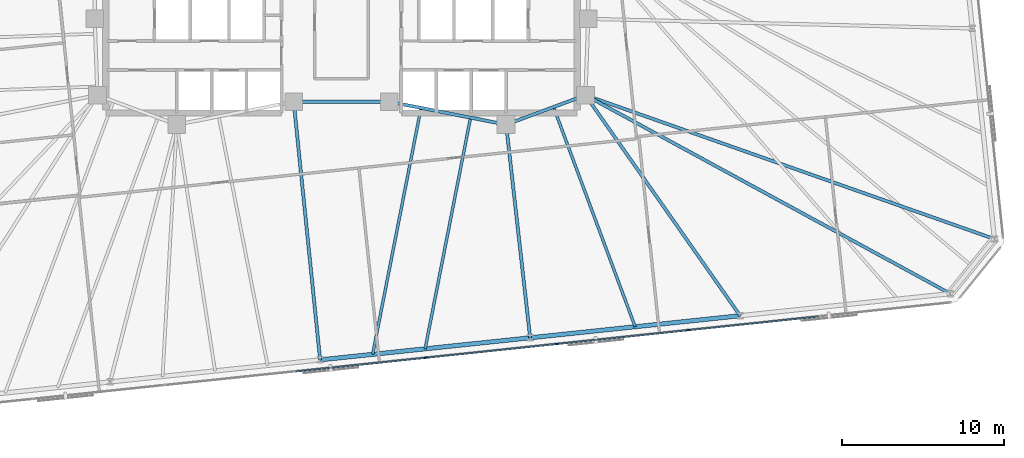
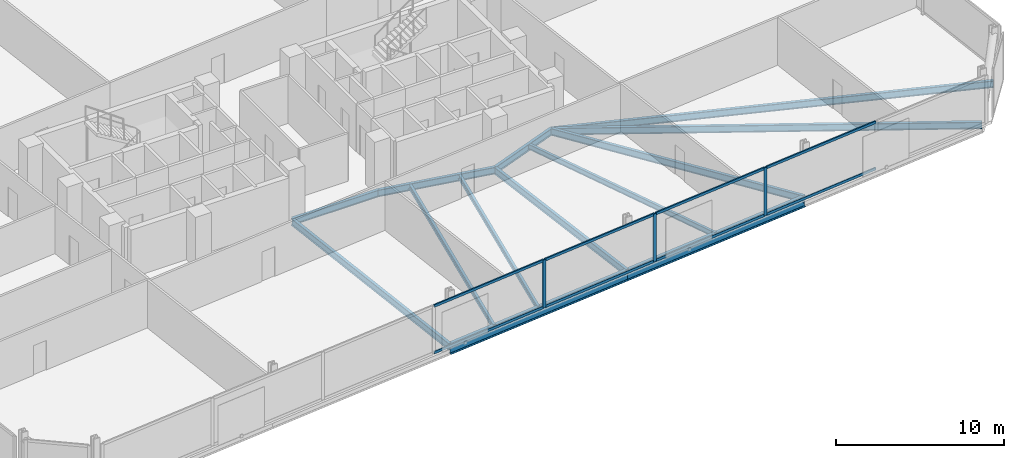
# One storey, part 7 of 18: 13 beams, 11 members, 1 element without a shape of its own.
"""IFC4 building model written with IfcOpenShell, lengths in metres."""

from ifc_helpers import new_model, si_unit, direction, frame, origin, origin_2d, place, context, subcontext, project, spatial, rectangle, i_section, extrude, material, material_profile, profile_set, type_object, element, aggregate, save


model = new_model("IFC4")

# Units and contexts
model_context = context("Model", 3, precision=1e-05, world=origin(), true_north=direction((0.0, 1.0)))
body_context = subcontext(model_context, "Body", "Model", "MODEL_VIEW")
ifc_project = project(units=[si_unit("LENGTHUNIT", "METRE"), si_unit("AREAUNIT", "SQUARE_METRE"), si_unit("VOLUMEUNIT", "CUBIC_METRE"), si_unit("PLANEANGLEUNIT", "RADIAN"), si_unit("MASSUNIT", "GRAM", prefix="KILO")], contexts=[model_context])

# Site, building, storey
site_placement = place(None, origin())
site = spatial("IfcSite", under=ifc_project, at=site_placement, CompositionType="ELEMENT")
building_placement = place(site_placement, origin())
building = spatial("IfcBuilding", under=site, at=building_placement, Name="Menara Jurai Vektor", CompositionType="ELEMENT")
storey_placement = place(building_placement, frame((0.0, 0.0, 117.0)))
storey = spatial("IfcBuildingStorey", under=building, at=storey_placement, Name="L29", CompositionType="ELEMENT", Elevation=117.0)

# Curtain wall, members
ifc_material_1 = material(Name="Anodised Pale Aluminium & Low-E Double Glazing", Category="aluminium")
curtain_wall_type = type_object("IfcCurtainWallType", Name="CW-BLK2", PredefinedType="NOTDEFINED", material=ifc_material_1)
curtain_wall_placement = place(storey_placement, origin())
curtain_wall = element("IfcCurtainWall", 1, at=curtain_wall_placement, inside=storey, type_object=curtain_wall_type, Name="Unitised Curtain Wall L29 F01", PredefinedType="NOTDEFINED")
ifc_material_2 = material(Name="Anodised Pale Aluminium Mullion", Category="aluminium")
ifc_material_profile_1 = material_profile(ifc_material_2, rectangle(XDim=0.090087890625, YDim=0.219970703125, at=origin_2d()), Name="ALU MUL 90x220")
ifc_profile_set_1 = profile_set([ifc_material_profile_1], Name="Anodised Pale Aluminium Mullion")
member_type_1 = type_object("IfcMemberType", Name="CW-BLK2-MUL", PredefinedType="MULLION", material=ifc_profile_set_1)
member_1_placement = place(storey_placement, frame((5.230224609375, -20.72265625, 0.0), z_axis=(0.0, 0.0, 1.0), x_axis=(-0.104528634935, 0.994521877325, 0.0)))
member_1 = element("IfcMember", 2, at=member_1_placement, type_object=member_type_1, Name="CW-02 mullion 5", PredefinedType="MULLION", context=body_context, shape_type="SweptSolid", body=[
    extrude(rectangle(XDim=0.090087890625, YDim=0.219970703125, at=origin_2d()), origin(), (0.0, 0.0, 1.0), 3.47509765625),
])
member_2_placement = place(storey_placement, frame((13.328125, -19.87158203125, 0.0), z_axis=(0.0, 0.0, 1.0), x_axis=(-0.104528634935, 0.994521877325, 0.0)))
member_2 = element("IfcMember", 3, at=member_2_placement, type_object=member_type_1, Name="CW-02 mullion 6", PredefinedType="MULLION", context=body_context, shape_type="SweptSolid", body=[
    extrude(rectangle(XDim=0.090087890625, YDim=0.219970703125, at=origin_2d()), origin(), (0.0, 0.0, 1.0), 3.47509765625),
])
member_3_placement = place(storey_placement, frame((21.426025390625, -19.020263671875, 0.0), z_axis=(0.0, 0.0, 1.0), x_axis=(-0.104528634935, 0.994521877325, 0.0)))
member_3 = element("IfcMember", 4, at=member_3_placement, type_object=member_type_1, Name="CW-02 mullion 7", PredefinedType="MULLION", context=body_context, shape_type="SweptSolid", body=[
    extrude(rectangle(XDim=0.090087890625, YDim=0.219970703125, at=origin_2d()), origin(), (0.0, 0.0, 1.0), 3.47509765625),
])
ifc_material_3 = material(Name="Anodised Pale Aluminium Transom", Category="aluminium")
ifc_material_profile_2 = material_profile(ifc_material_3, rectangle(XDim=0.090087890625, YDim=0.18505859375, at=origin_2d()), Name="ALU TRN 90x185")
ifc_profile_set_2 = profile_set([ifc_material_profile_2], Name="Anodised Pale Aluminium Transom")
member_type_2 = type_object("IfcMemberType", Name="CW-BLK2-TRN", PredefinedType="USERDEFINED", material=ifc_profile_set_2)
member_4_placement = place(storey_placement, frame((-2.82275390625, -21.569091796875, 0.044921875), z_axis=(0.994520726373, 0.10453958492, 0.0), x_axis=(-0.10453958492, 0.994520726373, 0.0)))
member_4 = element("IfcMember", 5, at=member_4_placement, type_object=member_type_2, Name="CW-02 transom 4.1", ObjectType="TRANSOM", PredefinedType="USERDEFINED", context=body_context, shape_type="SweptSolid", body=[
    extrude(rectangle(XDim=0.090087890625, YDim=0.18505859375, at=origin_2d()), origin(), (0.0, 0.0, 1.0), 8.052490234375),
])
member_5_placement = place(storey_placement, frame((-2.82275390625, -21.569091796875, 3.429931640625), z_axis=(0.994520726373, 0.10453958492, 0.0), x_axis=(-0.10453958492, 0.994520726373, 0.0)))
member_5 = element("IfcMember", 6, at=member_5_placement, type_object=member_type_2, Name="CW-02 transom 4.2", ObjectType="TRANSOM", PredefinedType="USERDEFINED", context=body_context, shape_type="SweptSolid", body=[
    extrude(rectangle(XDim=0.090087890625, YDim=0.18505859375, at=origin_2d()), origin(), (0.0, 0.0, 1.0), 8.052490234375),
])
member_6_placement = place(storey_placement, frame((5.275146484375, -20.718017578125, 0.044921875), z_axis=(0.994520726373, 0.10453958492, 0.0), x_axis=(-0.10453958492, 0.994520726373, 0.0)))
member_6 = element("IfcMember", 7, at=member_6_placement, type_object=member_type_2, Name="CW-02 transom 5.1", ObjectType="TRANSOM", PredefinedType="USERDEFINED", context=body_context, shape_type="SweptSolid", body=[
    extrude(rectangle(XDim=0.090087890625, YDim=0.18505859375, at=origin_2d()), origin(), (0.0, 0.0, 1.0), 8.052490234375),
])
member_7_placement = place(storey_placement, frame((5.275146484375, -20.718017578125, 3.429931640625), z_axis=(0.994520726373, 0.10453958492, 0.0), x_axis=(-0.10453958492, 0.994520726373, 0.0)))
member_7 = element("IfcMember", 8, at=member_7_placement, type_object=member_type_2, Name="CW-02 transom 5.2", ObjectType="TRANSOM", PredefinedType="USERDEFINED", context=body_context, shape_type="SweptSolid", body=[
    extrude(rectangle(XDim=0.090087890625, YDim=0.18505859375, at=origin_2d()), origin(), (0.0, 0.0, 1.0), 8.052490234375),
])
member_8_placement = place(storey_placement, frame((13.373046875, -19.86669921875, 0.044921875), z_axis=(0.99452387809, 0.104509597213, 0.0), x_axis=(-0.104509597213, 0.99452387809, 0.0)))
member_8 = element("IfcMember", 9, at=member_8_placement, type_object=member_type_2, Name="CW-02 transom 6.1", ObjectType="TRANSOM", PredefinedType="USERDEFINED", context=body_context, shape_type="SweptSolid", body=[
    extrude(rectangle(XDim=0.090087890625, YDim=0.18505859375, at=origin_2d()), origin(), (0.0, 0.0, 1.0), 8.052490234375),
])
member_9_placement = place(storey_placement, frame((13.373046875, -19.86669921875, 3.429931640625), z_axis=(0.99452387809, 0.104509597213, 0.0), x_axis=(-0.104509597213, 0.99452387809, 0.0)))
member_9 = element("IfcMember", 10, at=member_9_placement, type_object=member_type_2, Name="CW-02 transom 6.2", ObjectType="TRANSOM", PredefinedType="USERDEFINED", context=body_context, shape_type="SweptSolid", body=[
    extrude(rectangle(XDim=0.090087890625, YDim=0.18505859375, at=origin_2d()), origin(), (0.0, 0.0, 1.0), 8.052490234375),
])
member_10_placement = place(storey_placement, frame((21.470947265625, -19.015625, 0.044921875), z_axis=(0.994520726373, 0.10453958492, 0.0), x_axis=(-0.10453958492, 0.994520726373, 0.0)))
member_10 = element("IfcMember", 11, at=member_10_placement, type_object=member_type_2, Name="CW-02 transom 7.1", ObjectType="TRANSOM", PredefinedType="USERDEFINED", context=body_context, shape_type="SweptSolid", body=[
    extrude(rectangle(XDim=0.090087890625, YDim=0.18505859375, at=origin_2d()), origin(), (0.0, 0.0, 1.0), 8.052490234375),
])
member_11_placement = place(storey_placement, frame((21.470947265625, -19.015625, 3.429931640625), z_axis=(0.994520726373, 0.10453958492, 0.0), x_axis=(-0.10453958492, 0.994520726373, 0.0)))
member_11 = element("IfcMember", 12, at=member_11_placement, type_object=member_type_2, Name="CW-02 transom 7.2", ObjectType="TRANSOM", PredefinedType="USERDEFINED", context=body_context, shape_type="SweptSolid", body=[
    extrude(rectangle(XDim=0.090087890625, YDim=0.18505859375, at=origin_2d()), origin(), (0.0, 0.0, 1.0), 8.052490234375),
])
aggregate(curtain_wall, [member_1, member_2, member_3, member_4, member_5, member_6, member_7, member_8, member_9, member_10, member_11])

# Beams
ifc_material_4 = material(Name="Steel S355", Category="steel")
ifc_material_profile_3 = material_profile(ifc_material_4, i_section(OverallWidth=0.199951171875, OverallDepth=0.5, WebThickness=0.011962890625, FlangeThickness=0.02001953125, at=origin_2d()), Name="PG 500x200x96")
ifc_profile_set_3 = profile_set([ifc_material_profile_3], Name="Steel S355")
beam_type_1 = type_object("IfcBeamType", Name="STR-BM-500", PredefinedType="BEAM", material=ifc_profile_set_3)
beam_1_placement = place(storey_placement, frame((10.179931640625, -6.320068359375, -0.47509765625), z_axis=(0.937424400887, 0.348188874925, 0.0), x_axis=(-0.348188874925, 0.937424400887, 0.0)))
element("IfcBeam", 13, at=beam_1_placement, inside=storey, type_object=beam_type_1, Name="Core Ring Header Girder L29-CHE-S1", PredefinedType="BEAM", context=body_context, shape_type="SweptSolid", body=[
    extrude(i_section(OverallWidth=0.199951171875, OverallDepth=0.5, WebThickness=0.011962890625, FlangeThickness=0.02001953125, at=origin_2d()), origin(), (0.0, 0.0, 1.0), 5.227294921875),
])
beam_2_placement = place(storey_placement, frame((2.949951171875, -4.89990234375, -0.47509765625), z_axis=(0.981249044334, -0.192744164614, 0.0), x_axis=(0.192744164614, 0.981249044334, 0.0)))
element("IfcBeam", 14, at=beam_2_placement, inside=storey, type_object=beam_type_1, Name="Core Ring Header Girder L29-CHE-S2", PredefinedType="BEAM", context=body_context, shape_type="SweptSolid", body=[
    extrude(i_section(OverallWidth=0.199951171875, OverallDepth=0.5, WebThickness=0.011962890625, FlangeThickness=0.02001953125, at=origin_2d()), origin(), (0.0, 0.0, 1.0), 7.3681640625),
])
beam_3_placement = place(storey_placement, frame((-2.949951171875, -4.89990234375, -0.47509765625), z_axis=(1.0, 0.0, 0.0), x_axis=(0.0, 1.0, 0.0)))
element("IfcBeam", 15, at=beam_3_placement, inside=storey, type_object=beam_type_1, Name="Core Ring Header Girder L29-CC-1", PredefinedType="BEAM", context=body_context, shape_type="SweptSolid", body=[
    extrude(i_section(OverallWidth=0.199951171875, OverallDepth=0.5, WebThickness=0.011962890625, FlangeThickness=0.02001953125, at=origin_2d()), origin(), (0.0, 0.0, 1.0), 5.89990234375),
])
beam_4_placement = place(storey_placement, frame((-1.31689453125, -20.85791015625, -0.47509765625), z_axis=(-0.101802947506, 0.994804583765, 0.0), x_axis=(-0.994804583765, -0.101802947506, 0.0)))
element("IfcBeam", 16, at=beam_4_placement, inside=storey, type_object=beam_type_1, Name="Radial Floor Girder L29-S3", PredefinedType="BEAM", context=body_context, shape_type="SweptSolid", body=[
    extrude(i_section(OverallWidth=0.199951171875, OverallDepth=0.5, WebThickness=0.011962890625, FlangeThickness=0.02001953125, at=origin_2d()), origin(), (0.0, 0.0, 1.0), 16.041259765625),
])
beam_5_placement = place(storey_placement, frame((11.66259765625, -19.493408203125, -0.47509765625), z_axis=(-0.111844331087, 0.99372573963, 0.0), x_axis=(-0.99372573963, -0.111844331087, 0.0)))
element("IfcBeam", 17, at=beam_5_placement, inside=storey, type_object=beam_type_1, Name="Radial Floor Girder L29-S4", PredefinedType="BEAM", context=body_context, shape_type="SweptSolid", body=[
    extrude(i_section(OverallWidth=0.199951171875, OverallDepth=0.5, WebThickness=0.011962890625, FlangeThickness=0.02001953125, at=origin_2d()), origin(), (0.0, 0.0, 1.0), 13.256591796875),
])
beam_6_placement = place(storey_placement, frame((24.64208984375, -18.12939453125, -0.47509765625), z_axis=(-0.574326112611, 0.818626603754, 0.0), x_axis=(-0.818626603754, -0.574326112611, 0.0)))
element("IfcBeam", 18, at=beam_6_placement, inside=storey, type_object=beam_type_1, Name="Radial Floor Girder L29-S5", PredefinedType="BEAM", context=body_context, shape_type="SweptSolid", body=[
    extrude(i_section(OverallWidth=0.199951171875, OverallDepth=0.5, WebThickness=0.011962890625, FlangeThickness=0.02001953125, at=origin_2d()), origin(), (0.0, 0.0, 1.0), 16.649169921875),
])
beam_7_placement = place(storey_placement, frame((37.621826171875, -16.76513671875, -0.47509765625), z_axis=(-0.878392468416, 0.477940029115, 0.0), x_axis=(-0.477940029115, -0.878392468416, 0.0)))
element("IfcBeam", 19, at=beam_7_placement, inside=storey, type_object=beam_type_1, Name="Radial Floor Girder L29-S6", PredefinedType="BEAM", context=body_context, shape_type="SweptSolid", body=[
    extrude(i_section(OverallWidth=0.199951171875, OverallDepth=0.5, WebThickness=0.011962890625, FlangeThickness=0.02001953125, at=origin_2d()), origin(), (0.0, 0.0, 1.0), 25.66259765625),
])
beam_8_placement = place(storey_placement, frame((40.356201171875, -13.388671875, -0.47509765625), z_axis=(-0.943368219745, 0.331747497315, 0.0), x_axis=(-0.331747497315, -0.943368219745, 0.0)))
element("IfcBeam", 20, at=beam_8_placement, inside=storey, type_object=beam_type_1, Name="Radial Floor Girder L29-E1", PredefinedType="BEAM", context=body_context, shape_type="SweptSolid", body=[
    extrude(i_section(OverallWidth=0.199951171875, OverallDepth=0.5, WebThickness=0.011962890625, FlangeThickness=0.02001953125, at=origin_2d()), origin(), (0.0, 0.0, 1.0), 26.79345703125),
])
ifc_material_profile_4 = material_profile(ifc_material_4, i_section(OverallWidth=0.175048828125, OverallDepth=0.3798828125, WebThickness=0.010009765625, FlangeThickness=0.014892578125, at=origin_2d()), Name="PG 380x175x58")
ifc_profile_set_4 = profile_set([ifc_material_profile_4], Name="Steel S355")
beam_type_2 = type_object("IfcBeamType", Name="STR-JS-380", PredefinedType="JOIST", material=ifc_profile_set_4)
beam_9_placement = place(storey_placement, frame((1.927978515625, -20.5166015625, -0.4150390625), z_axis=(0.192720963177, 0.981253601447, 0.0), x_axis=(-0.981253601447, 0.192720963177, 0.0)))
element("IfcBeam", 21, at=beam_9_placement, inside=storey, type_object=beam_type_2, Name="Radial Secondary Floor Joist L29-JS06", PredefinedType="JOIST", context=body_context, shape_type="SweptSolid", body=[
    extrude(i_section(OverallWidth=0.175048828125, OverallDepth=0.3798828125, WebThickness=0.010009765625, FlangeThickness=0.014892578125, at=origin_2d()), origin(), (0.0, 0.0, 1.0), 15.52099609375),
])
beam_10_placement = place(storey_placement, frame((5.1728515625, -20.175537109375, -0.4150390625), z_axis=(0.192719646422, 0.98125386006, 0.0), x_axis=(-0.98125386006, 0.192719646422, 0.0)))
element("IfcBeam", 22, at=beam_10_placement, inside=storey, type_object=beam_type_2, Name="Radial Secondary Floor Joist L29-JS07", PredefinedType="JOIST", context=body_context, shape_type="SweptSolid", body=[
    extrude(i_section(OverallWidth=0.175048828125, OverallDepth=0.3798828125, WebThickness=0.010009765625, FlangeThickness=0.014892578125, at=origin_2d()), origin(), (0.0, 0.0, 1.0), 14.560791015625),
])
beam_11_placement = place(storey_placement, frame((18.15234375, -18.811279296875, -0.4150390625), z_axis=(-0.348188645432, 0.937424486128, 0.0), x_axis=(-0.937424486128, -0.348188645432, 0.0)))
element("IfcBeam", 23, at=beam_11_placement, inside=storey, type_object=beam_type_2, Name="Radial Secondary Floor Joist L29-JS08", PredefinedType="JOIST", context=body_context, shape_type="SweptSolid", body=[
    extrude(i_section(OverallWidth=0.175048828125, OverallDepth=0.3798828125, WebThickness=0.010009765625, FlangeThickness=0.014892578125, at=origin_2d()), origin(), (0.0, 0.0, 1.0), 14.485595703125),
])
ifc_material_5 = material(Name="Steel S460", Category="steel")
ifc_material_profile_5 = material_profile(ifc_material_5, i_section(OverallWidth=0.26806640625, OverallDepth=0.77001953125, WebThickness=0.01611328125, FlangeThickness=0.02490234375, FilletRadius=0.01708984375, at=origin_2d()), Name="UKB 762x267x197")
ifc_profile_set_5 = profile_set([ifc_material_profile_5], Name="Steel S460")
beam_type_3 = type_object("IfcBeamType", Name="STR-SP-762", PredefinedType="SPANDREL", material=ifc_profile_set_5)
for number, where, z_axis, x_axis, name in (
    (24, (-1.31689453125, -20.85791015625, -0.610107421875), (0.994519486762, 0.104551377088, 0.0), (-0.104551377088, 0.994519486762, 0.0), "Exoskeleton Spandrel Beam L29-03"),
    (25, (11.66259765625, -19.493408203125, -0.610107421875), (0.99452337626, 0.104514372567, 0.0), (-0.104514372567, 0.99452337626, 0.0), "Exoskeleton Spandrel Beam L29-04"),
):
    element("IfcBeam", number, at=place(storey_placement, frame(where, z_axis=z_axis, x_axis=x_axis)), inside=storey, type_object=beam_type_3, Name=name, PredefinedType="SPANDREL", context=body_context, shape_type="SweptSolid", body=[
        extrude(i_section(OverallWidth=0.26806640625, OverallDepth=0.77001953125, WebThickness=0.01611328125, FlangeThickness=0.02490234375, FilletRadius=0.01708984375, at=origin_2d()), origin(), (0.0, 0.0, 1.0), 13.051025390625),
    ])

save(model, "model.ifc")
